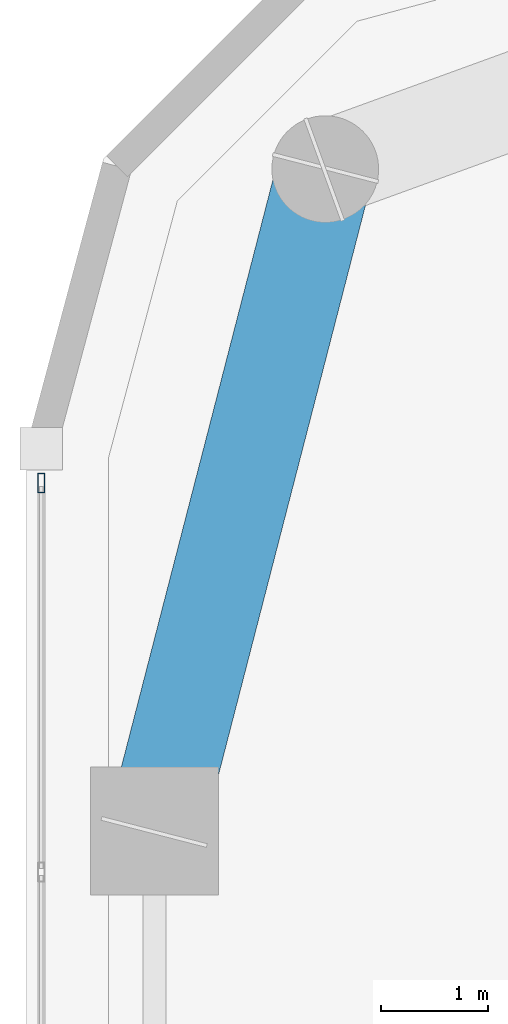
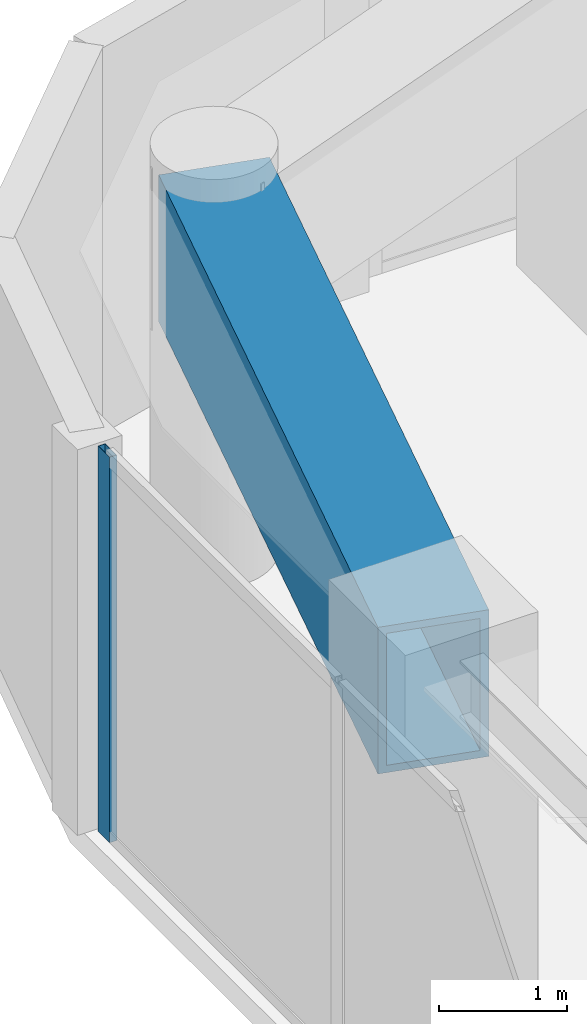
# One storey, part 15 of 30: 1 beam, 1 member, 1 element without a shape of its own.
"""IFC4 building model written with IfcOpenShell, lengths in metres."""

from ifc_helpers import new_model, si_unit, direction, frame, origin, origin_2d, place, context, subcontext, project, spatial, hollow_rectangle, extrude, material, layer, layer_set, material_profile, profile_set, type_object, element, aggregate, save


model = new_model("IFC4")

# Units and contexts
model_context = context("Model", 3, precision=1e-05, world=origin(), true_north=direction((0.0, 1.0)))
body_context = subcontext(model_context, "Body", "Model", "MODEL_VIEW")
ifc_project = project(units=[si_unit("LENGTHUNIT", "METRE"), si_unit("AREAUNIT", "SQUARE_METRE"), si_unit("VOLUMEUNIT", "CUBIC_METRE"), si_unit("PLANEANGLEUNIT", "RADIAN"), si_unit("MASSUNIT", "GRAM", prefix="KILO")], contexts=[model_context])

# Site, building, storey
site_placement = place(None, origin())
site = spatial("IfcSite", under=ifc_project, at=site_placement, CompositionType="ELEMENT")
building_placement = place(site_placement, origin())
building = spatial("IfcBuilding", under=site, at=building_placement, Name="Kiyonajd Concourse Tower", CompositionType="ELEMENT")
storey_placement = place(building_placement, frame((0.0, 0.0, 201.89990234375)))
storey = spatial("IfcBuildingStorey", under=building, at=storey_placement, Name="L51", CompositionType="ELEMENT", Elevation=201.89990234375)

# Beam
ifc_material_1 = material(Name="Steel ASTM A572 Grade 50", Category="steel")
ifc_material_profile_1 = material_profile(ifc_material_1, hollow_rectangle(XDim=0.89990234375, YDim=1.39990234375, WallThickness=0.070068359375, at=origin_2d()), Name="BOX-1400x900x70")
ifc_profile_set_1 = profile_set([ifc_material_profile_1], Name="Steel ASTM A572 Grade 50")
beam_type = type_object("IfcBeamType", Name="BM-XFER-1400", PredefinedType="BEAM", material=ifc_profile_set_1)
beam_placement = place(storey_placement, frame((20.800048828125, 59.60009765625, 2.97998046875), z_axis=(-0.249884937687, -0.968275538221, 0.0), x_axis=(0.968275538221, -0.249884937687, 0.0)))
element("IfcBeam", 1, at=beam_placement, inside=storey, type_object=beam_type, Name="L51 Perimeter Bundled Tube Spandrel", PredefinedType="BEAM", context=body_context, shape_type="SweptSolid", body=[
    extrude(hollow_rectangle(XDim=0.89990234375, YDim=1.39990234375, WallThickness=0.070068359375, at=origin_2d()), origin(), (0.0, 0.0, 1.0), 6.4033203125),
])

# Curtain wall, member
ifc_material_2 = material(Name="Thermally Broken Anodised Aluminium", Category="aluminium")
ifc_layer = layer(ifc_material_2, 0.179931640625)
ifc_layer_set = layer_set([ifc_layer], Name="Thermally Broken Anodised Aluminium")
curtain_wall_type = type_object("IfcCurtainWallType", Name="CW-SYS-03", PredefinedType="NOTDEFINED", material=ifc_layer_set)
curtain_wall_placement = place(storey_placement, origin())
curtain_wall = element("IfcCurtainWall", 2, at=curtain_wall_placement, inside=storey, type_object=curtain_wall_type, Name="L51 Unitised Curtain Wall CW3", PredefinedType="NOTDEFINED")
ifc_material_profile_2 = material_profile(ifc_material_2, hollow_rectangle(XDim=0.06494140625, YDim=0.179931640625, WallThickness=0.00390625, at=origin_2d()), Name="MULL-65x180")
ifc_profile_set_2 = profile_set([ifc_material_profile_2], Name="Thermally Broken Anodised Aluminium")
member_type = type_object("IfcMemberType", Name="MB-CW-MULL1", PredefinedType="MULLION", material=ifc_profile_set_2)
member_placement = place(storey_placement, frame((18.139892578125, 56.6591796875, 0.0), z_axis=(0.0, 0.0, 1.0), x_axis=(-1.0, 0.0, 0.0)))
member = element("IfcMember", 3, at=member_placement, type_object=member_type, Name="CW3 mullion 7", PredefinedType="MULLION", context=body_context, shape_type="SweptSolid", body=[
    extrude(hollow_rectangle(XDim=0.06494140625, YDim=0.179931640625, WallThickness=0.00390625, at=origin_2d()), origin(), (0.0, 0.0, 1.0), 3.68017578125),
])
aggregate(curtain_wall, [member])

save(model, "model.ifc")
